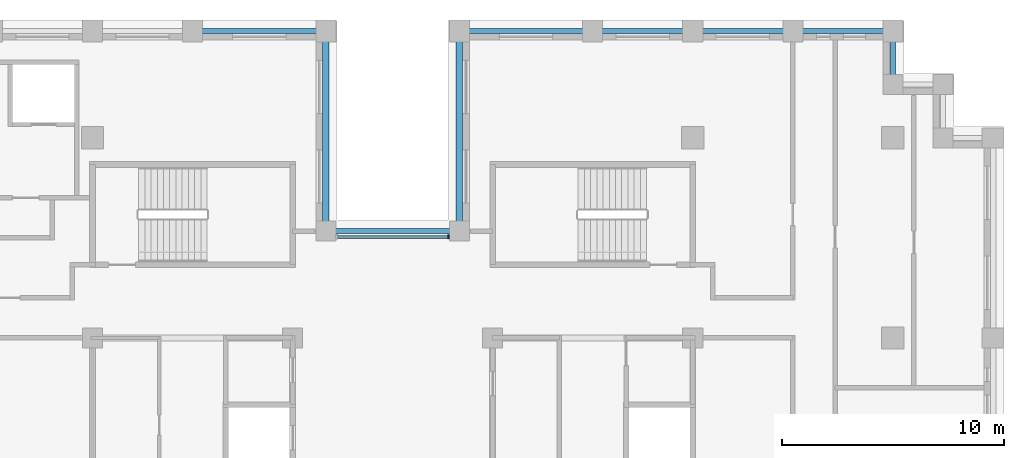
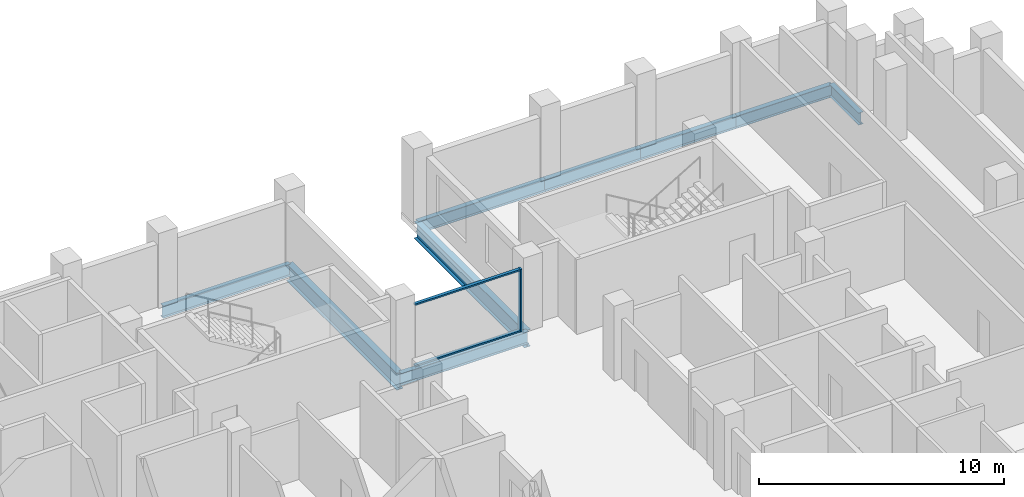
# One storey, part 4 of 15: 9 beams, 3 members, 1 element without a shape of its own.
"""IFC4 building model written with IfcOpenShell, lengths in metres."""

from ifc_helpers import new_model, si_unit, direction, frame, origin, origin_2d, place, context, subcontext, project, spatial, rectangle, i_section, extrude, material, layer, layer_set, material_profile, profile_set, type_object, element, aggregate, save


model = new_model("IFC4")

# Units and contexts
model_context = context("Model", 3, precision=1e-05, world=origin(), true_north=direction((0.0, 1.0)))
body_context = subcontext(model_context, "Body", "Model", "MODEL_VIEW")
ifc_project = project(units=[si_unit("LENGTHUNIT", "METRE"), si_unit("AREAUNIT", "SQUARE_METRE"), si_unit("VOLUMEUNIT", "CUBIC_METRE"), si_unit("PLANEANGLEUNIT", "RADIAN"), si_unit("MASSUNIT", "GRAM", prefix="KILO")], contexts=[model_context])

# Site, building, storey
site_placement = place(None, origin())
site = spatial("IfcSite", under=ifc_project, at=site_placement, CompositionType="ELEMENT")
building_placement = place(site_placement, origin())
building = spatial("IfcBuilding", under=site, at=building_placement, Name="Corbelhall Arena Tower", CompositionType="ELEMENT")
storey_placement = place(building_placement, frame((0.0, 0.0, 196.0)))
storey = spatial("IfcBuildingStorey", under=building, at=storey_placement, Name="L40", CompositionType="ELEMENT", Elevation=196.0)

# Curtain wall, members
ifc_material_1 = material(Name="Aluminium black anodised", Category="aluminium")
ifc_layer = layer(ifc_material_1, 0.199951171875)
ifc_layer_set = layer_set([ifc_layer], Name="EV-CW1 Slot back wall")
curtain_wall_type = type_object("IfcCurtainWallType", Name="EV-CW1 Slot back wall", PredefinedType="NOTDEFINED", material=ifc_layer_set)
curtain_wall_placement = place(storey_placement, origin())
curtain_wall = element("IfcCurtainWall", 1, at=curtain_wall_placement, inside=storey, type_object=curtain_wall_type, Name="Curtain wall CW1", PredefinedType="NOTDEFINED")
ifc_material_profile_1 = material_profile(ifc_material_1, rectangle(XDim=0.199951171875, YDim=0.074951171875, at=origin_2d()))
ifc_profile_set_1 = profile_set([ifc_material_profile_1], Name="Aluminium black anodised")
member_type_1 = type_object("IfcMemberType", Name="EV-CW1-MULLION", PredefinedType="MULLION", material=ifc_profile_set_1)
member_1_placement = place(storey_placement, frame((2.512451171875, 13.550048828125, 0.0), z_axis=(0.0, 0.0, 1.0), x_axis=(0.0, -1.0, 0.0)))
member_1 = element("IfcMember", 2, at=member_1_placement, type_object=member_type_1, Name="CW1 mullion 1", PredefinedType="MULLION", context=body_context, shape_type="SweptSolid", body=[
    extrude(rectangle(XDim=0.199951171875, YDim=0.074951171875, at=origin_2d()), origin(), (0.0, 0.0, 1.0), 3.1201171875),
])
ifc_material_profile_2 = material_profile(ifc_material_1, rectangle(XDim=0.14990234375, YDim=0.074951171875, at=origin_2d()))
ifc_profile_set_2 = profile_set([ifc_material_profile_2], Name="Aluminium black anodised")
member_type_2 = type_object("IfcMemberType", Name="EV-CW1-TRANSOM", PredefinedType="USERDEFINED", material=ifc_profile_set_2)
member_2_placement = place(storey_placement, frame((2.47509765625, 13.550048828125, 0.03759765625), z_axis=(-1.0, 0.0, 0.0), x_axis=(0.0, -1.0, 0.0)))
member_2 = element("IfcMember", 3, at=member_2_placement, type_object=member_type_2, Name="CW1 transom 1.1", ObjectType="transom", PredefinedType="USERDEFINED", context=body_context, shape_type="SweptSolid", body=[
    extrude(rectangle(XDim=0.14990234375, YDim=0.074951171875, at=origin_2d()), origin(), (0.0, 0.0, 1.0), 4.9501953125),
])
member_3_placement = place(storey_placement, frame((2.47509765625, 13.550048828125, 3.08251953125), z_axis=(-1.0, 0.0, 0.0), x_axis=(0.0, -1.0, 0.0)))
member_3 = element("IfcMember", 4, at=member_3_placement, type_object=member_type_2, Name="CW1 transom 1.2", ObjectType="transom", PredefinedType="USERDEFINED", context=body_context, shape_type="SweptSolid", body=[
    extrude(rectangle(XDim=0.14990234375, YDim=0.074951171875, at=origin_2d()), origin(), (0.0, 0.0, 1.0), 4.9501953125),
])
aggregate(curtain_wall, [member_1, member_2, member_3])

# Beams
ifc_material_2 = material(Name="Steel ASTM A992 Gr50", Category="steel")
ifc_material_profile_3 = material_profile(ifc_material_2, i_section(OverallWidth=0.228271484375, OverallDepth=0.607177734375, WebThickness=0.01123046875, FlangeThickness=0.017333984375, at=origin_2d()))
ifc_profile_set_3 = profile_set([ifc_material_profile_3], Name="Steel ASTM A992 Gr50")
beam_type_1 = type_object("IfcBeamType", Name="ST-SPANDREL-W24x76", PredefinedType="SPANDREL", material=ifc_profile_set_3)
beam_1_placement = place(storey_placement, frame((3.0, 22.800048828125, -0.58349609375), z_axis=(1.0, 0.0, 0.0), x_axis=(0.0, 1.0, 0.0)))
element("IfcBeam", 5, at=beam_1_placement, inside=storey, type_object=beam_type_1, Name="Beam SP 13", PredefinedType="SPANDREL", context=body_context, shape_type="SweptSolid", body=[
    extrude(i_section(OverallWidth=0.228271484375, OverallDepth=0.607177734375, WebThickness=0.01123046875, FlangeThickness=0.017333984375, at=origin_2d()), origin(), (0.0, 0.0, 1.0), 6.0),
])
for number, where, z_axis, x_axis, name in (
    (6, (9.0, 22.800048828125, -0.58349609375), (1.0, 0.0, 0.0), (0.0, 1.0, 0.0), "Beam SP 14"),
    (7, (13.5, 22.800048828125, -0.58349609375), (1.0, 0.0, 0.0), (0.0, 1.0, 0.0), "Beam SP 15"),
    (8, (18.0, 22.800048828125, -0.58349609375), (1.0, 0.0, 0.0), (0.0, 1.0, 0.0), "Beam SP 16"),
):
    element("IfcBeam", number, at=place(storey_placement, frame(where, z_axis=z_axis, x_axis=x_axis)), inside=storey, type_object=beam_type_1, Name=name, PredefinedType="SPANDREL", context=body_context, shape_type="SweptSolid", body=[
        extrude(i_section(OverallWidth=0.228271484375, OverallDepth=0.607177734375, WebThickness=0.01123046875, FlangeThickness=0.017333984375, at=origin_2d()), origin(), (0.0, 0.0, 1.0), 4.5),
    ])
beam_2_placement = place(storey_placement, frame((22.5, 22.800048828125, -0.58349609375), z_axis=(0.0, -1.0, 0.0), x_axis=(1.0, 0.0, 0.0)))
element("IfcBeam", 9, at=beam_2_placement, inside=storey, type_object=beam_type_1, Name="Beam SP 17", PredefinedType="SPANDREL", context=body_context, shape_type="SweptSolid", body=[
    extrude(i_section(OverallWidth=0.228271484375, OverallDepth=0.607177734375, WebThickness=0.01123046875, FlangeThickness=0.017333984375, at=origin_2d()), origin(), (0.0, 0.0, 1.0), 2.400146484375),
])
for number, where, z_axis, x_axis, name in (
    (10, (-9.0, 22.800048828125, -0.58349609375), (1.0, 0.0, 0.0), (0.0, 1.0, 0.0), "Beam SP 19"),
    (11, (-3.0, 13.800048828125, -0.58349609375), (1.0, 0.0, 0.0), (0.0, 1.0, 0.0), "Beam SP 36"),
):
    element("IfcBeam", number, at=place(storey_placement, frame(where, z_axis=z_axis, x_axis=x_axis)), inside=storey, type_object=beam_type_1, Name=name, PredefinedType="SPANDREL", context=body_context, shape_type="SweptSolid", body=[
        extrude(i_section(OverallWidth=0.228271484375, OverallDepth=0.607177734375, WebThickness=0.01123046875, FlangeThickness=0.017333984375, at=origin_2d()), origin(), (0.0, 0.0, 1.0), 6.0),
    ])
ifc_material_profile_4 = material_profile(ifc_material_2, i_section(OverallWidth=0.2919921875, OverallDepth=0.845703125, WebThickness=0.015380859375, FlangeThickness=0.0244140625, at=origin_2d()))
ifc_profile_set_4 = profile_set([ifc_material_profile_4], Name="Steel ASTM A992 Gr50")
beam_type_2 = type_object("IfcBeamType", Name="ST-SPANDREL-W33x141", PredefinedType="SPANDREL", material=ifc_profile_set_4)
for number, where, z_axis, x_axis, name in (
    (12, (-3.0, 22.800048828125, -0.702880859375), (0.0, -1.0, 0.0), (1.0, 0.0, 0.0), "Beam SP 18"),
    (13, (3.0, 13.800048828125, -0.702880859375), (0.0, 1.0, 0.0), (-1.0, 0.0, 0.0), "Beam SP 35"),
):
    element("IfcBeam", number, at=place(storey_placement, frame(where, z_axis=z_axis, x_axis=x_axis)), inside=storey, type_object=beam_type_2, Name=name, PredefinedType="SPANDREL", context=body_context, shape_type="SweptSolid", body=[
        extrude(i_section(OverallWidth=0.2919921875, OverallDepth=0.845703125, WebThickness=0.015380859375, FlangeThickness=0.0244140625, at=origin_2d()), origin(), (0.0, 0.0, 1.0), 9.0),
    ])

save(model, "model.ifc")
